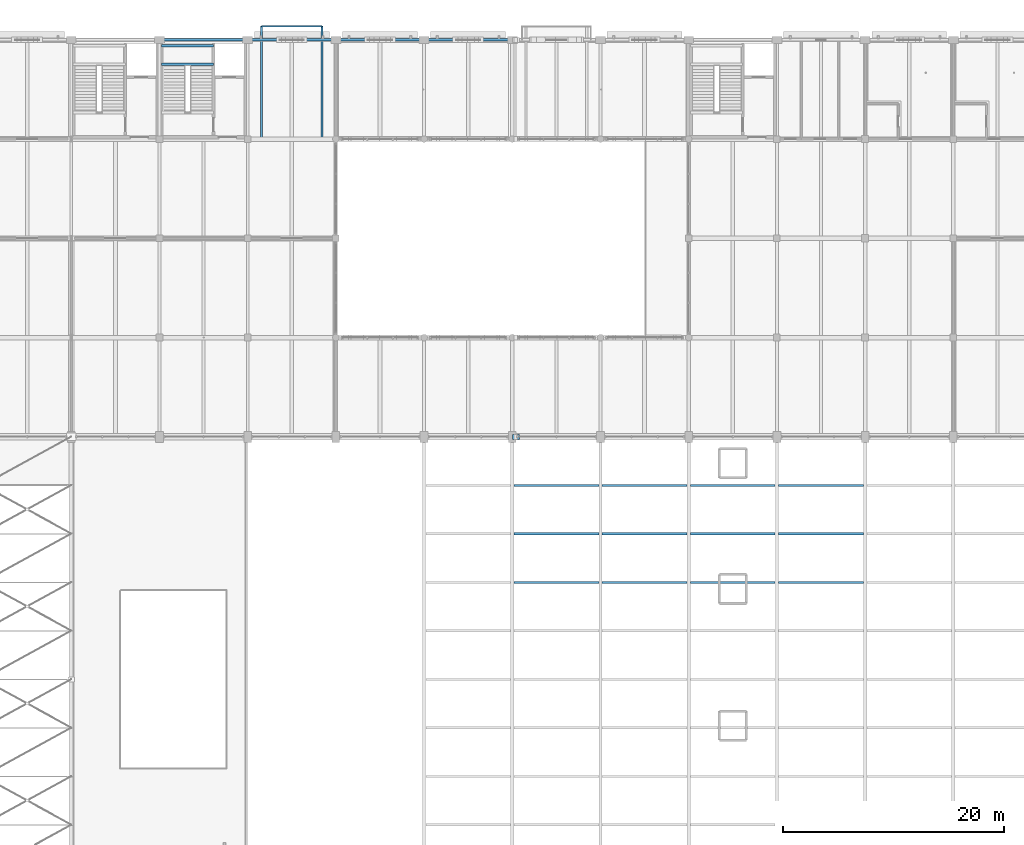
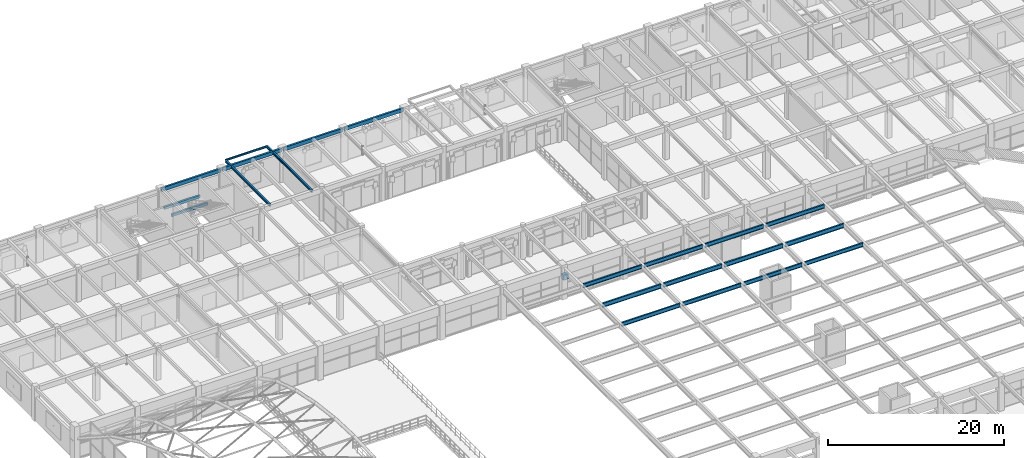
# One storey, part 52 of 144: 22 beams.
"""IFC4 building model written with IfcOpenShell, lengths in metres."""

from ifc_helpers import new_model, si_unit, direction, frame, origin, origin_2d, place, context, subcontext, project, spatial, rectangle, i_section, extrude, material, material_profile, profile_set, type_object, element, save


model = new_model("IFC4")

# Units and contexts
model_context = context("Model", 3, precision=1e-05, world=origin(), true_north=direction((0.0, 1.0)))
body_context = subcontext(model_context, "Body", "Model", "MODEL_VIEW")
ifc_project = project(units=[si_unit("LENGTHUNIT", "METRE"), si_unit("AREAUNIT", "SQUARE_METRE"), si_unit("VOLUMEUNIT", "CUBIC_METRE"), si_unit("PLANEANGLEUNIT", "RADIAN"), si_unit("MASSUNIT", "GRAM", prefix="KILO")], contexts=[model_context])

# Site, building, storey
site_placement = place(None, origin())
site = spatial("IfcSite", under=ifc_project, at=site_placement, CompositionType="ELEMENT")
building_placement = place(site_placement, origin())
building = spatial("IfcBuilding", under=site, at=building_placement, Name="Varnabhumi Central Station", CompositionType="ELEMENT")
storey_placement = place(building_placement, frame((0.0, 0.0, 4.800048828125)))
storey = spatial("IfcBuildingStorey", under=building, at=storey_placement, Name="L01", CompositionType="ELEMENT", Elevation=4.800048828125)

# Beams
ifc_material_1 = material(Name="Structural steel E350", Category="steel")
ifc_material_profile_1 = material_profile(ifc_material_1, i_section(OverallWidth=0.18994140625, OverallDepth=0.550048828125, WebThickness=0.01123046875, FlangeThickness=0.019287109375, FilletRadius=0.01806640625, at=origin_2d()), Name="Structural steel E350", Category="steel")
ifc_profile_set_1 = profile_set([ifc_material_profile_1], Name="Structural steel E350")
beam_type_1 = type_object("IfcBeamType", Name="BM-JST-ISMB550", PredefinedType="JOIST", material=ifc_profile_set_1)
for number, where, z_axis, x_axis, name in (
    (1, (64.155029296875, 66.800048828125, 4.204833984375), (1.0, 0.0, 0.0), (0.0, 1.0, 0.0), "Concourse Stringer 9-10-S7"),
    (2, (64.155029296875, 75.60009765625, 4.204833984375), (1.0, 0.0, 0.0), (0.0, 1.0, 0.0), "Concourse Stringer 9-10-S9"),
    (3, (72.155029296875, 66.800048828125, 4.204833984375), (1.0, 0.0, 0.0), (0.0, 1.0, 0.0), "Concourse Stringer 10-11-S7"),
    (4, (72.155029296875, 75.60009765625, 4.204833984375), (1.0, 0.0, 0.0), (0.0, 1.0, 0.0), "Concourse Stringer 10-11-S9"),
    (5, (80.155029296875, 66.800048828125, 4.204833984375), (1.0, 0.0, 0.0), (0.0, 1.0, 0.0), "Concourse Stringer 11-12-S7"),
    (6, (80.155029296875, 75.60009765625, 4.204833984375), (1.0, 0.0, 0.0), (0.0, 1.0, 0.0), "Concourse Stringer 11-12-S9"),
    (7, (88.155029296875, 66.800048828125, 4.204833984375), (1.0, 0.0, 0.0), (0.0, 1.0, 0.0), "Concourse Stringer 12-13-S7"),
    (8, (88.155029296875, 75.60009765625, 4.204833984375), (1.0, 0.0, 0.0), (0.0, 1.0, 0.0), "Concourse Stringer 12-13-S9"),
):
    element("IfcBeam", number, at=place(storey_placement, frame(where, z_axis=z_axis, x_axis=x_axis)), inside=storey, type_object=beam_type_1, Name=name, PredefinedType="JOIST", context=body_context, shape_type="SweptSolid", body=[
        extrude(i_section(OverallWidth=0.18994140625, OverallDepth=0.550048828125, WebThickness=0.01123046875, FlangeThickness=0.019287109375, FilletRadius=0.01806640625, at=origin_2d()), origin(), (0.0, 0.0, 1.0), 7.68994140625),
    ])
ifc_material_profile_2 = material_profile(ifc_material_1, i_section(OverallWidth=0.2099609375, OverallDepth=0.60009765625, WebThickness=0.011962890625, FlangeThickness=0.020751953125, FilletRadius=0.02001953125, at=origin_2d()), Name="Structural steel E350", Category="steel")
ifc_profile_set_2 = profile_set([ifc_material_profile_2], Name="Structural steel E350")
beam_type_2 = type_object("IfcBeamType", Name="BM-JST-ISMB600", PredefinedType="JOIST", material=ifc_profile_set_2)
for number, where, z_axis, x_axis, name in (
    (9, (64.155029296875, 71.199951171875, 4.179931640625), (1.0, 0.0, 0.0), (0.0, 1.0, 0.0), "Concourse Stringer 9-10-S8"),
    (10, (72.155029296875, 71.199951171875, 4.179931640625), (1.0, 0.0, 0.0), (0.0, 1.0, 0.0), "Concourse Stringer 10-11-S8"),
    (11, (80.155029296875, 71.199951171875, 4.179931640625), (1.0, 0.0, 0.0), (0.0, 1.0, 0.0), "Concourse Stringer 11-12-S8"),
    (12, (88.155029296875, 71.199951171875, 4.179931640625), (1.0, 0.0, 0.0), (0.0, 1.0, 0.0), "Concourse Stringer 12-13-S8"),
):
    element("IfcBeam", number, at=place(storey_placement, frame(where, z_axis=z_axis, x_axis=x_axis)), inside=storey, type_object=beam_type_2, Name=name, PredefinedType="JOIST", context=body_context, shape_type="SweptSolid", body=[
        extrude(i_section(OverallWidth=0.2099609375, OverallDepth=0.60009765625, WebThickness=0.011962890625, FlangeThickness=0.020751953125, FilletRadius=0.02001953125, at=origin_2d()), origin(), (0.0, 0.0, 1.0), 7.68994140625),
    ])
ifc_material_profile_3 = material_profile(ifc_material_1, i_section(OverallWidth=0.125, OverallDepth=0.25, WebThickness=0.0068359375, FlangeThickness=0.012451171875, FilletRadius=0.012939453125, at=origin_2d()), Name="Structural steel E350", Category="steel")
ifc_profile_set_3 = profile_set([ifc_material_profile_3], Name="Structural steel E350")
beam_type_3 = type_object("IfcBeamType", Name="BM-PUR-ISMB250", PredefinedType="JOIST", material=ifc_profile_set_3)
beam_1_placement = place(storey_placement, frame((41.25, 117.219970703125, 4.425048828125), z_axis=(1.0, 0.0, 0.0), x_axis=(0.0, 1.0, 0.0)))
element("IfcBeam", 13, at=beam_1_placement, inside=storey, type_object=beam_type_3, Name="Spanish Balcony Fascia Beam L02-9", PredefinedType="JOIST", context=body_context, shape_type="SweptSolid", body=[
    extrude(i_section(OverallWidth=0.125, OverallDepth=0.25, WebThickness=0.0068359375, FlangeThickness=0.012451171875, FilletRadius=0.012939453125, at=origin_2d()), origin(), (0.0, 0.0, 1.0), 5.5),
])
ifc_material_2 = material(Name="Concrete M35", Category="concrete")
ifc_material_profile_4 = material_profile(ifc_material_2, rectangle(XDim=0.25, YDim=0.35009765625, at=origin_2d()), Name="Concrete M35", Category="concrete")
ifc_profile_set_4 = profile_set([ifc_material_profile_4], Name="Concrete M35")
beam_type_4 = type_object("IfcBeamType", Name="BM-RC-250x350", PredefinedType="LINTEL", material=ifc_profile_set_4)
for number, where, z_axis, x_axis, name in (
    (14, (32.179931640625, 113.794921875, 2.044921875), (1.0, 0.0, 0.0), (0.0, 1.0, 0.0), "ST-N4 L01 Half Landing Support Beam 1"),
    (15, (32.179931640625, 115.4599609375, 2.044921875), (1.0, 0.0, 0.0), (0.0, 1.0, 0.0), "ST-N4 L01 Half Landing Support Beam 2"),
):
    element("IfcBeam", number, at=place(storey_placement, frame(where, z_axis=z_axis, x_axis=x_axis)), inside=storey, type_object=beam_type_4, Name=name, PredefinedType="LINTEL", context=body_context, shape_type="SweptSolid", body=[
        extrude(rectangle(XDim=0.25, YDim=0.35009765625, at=origin_2d()), origin(), (0.0, 0.0, 1.0), 4.719970703125),
    ])
ifc_material_3 = material(Name="Concrete M40", Category="concrete")
ifc_material_profile_5 = material_profile(ifc_material_3, rectangle(XDim=0.25, YDim=0.5, at=origin_2d()), Name="Concrete M40", Category="concrete")
ifc_profile_set_5 = profile_set([ifc_material_profile_5], Name="Concrete M40")
beam_type_5 = type_object("IfcBeamType", Name="BM-RC-250x500", PredefinedType="SPANDREL", material=ifc_profile_set_5)
for number, where, z_axis, x_axis, name in (
    (16, (32.10009765625, 116.0, 4.300048828125), (1.0, 0.0, 0.0), (0.0, 1.0, 0.0), "Beam L01-P:5-6"),
    (17, (40.10009765625, 116.0, 4.300048828125), (1.0, 0.0, 0.0), (0.0, 1.0, 0.0), "Beam L01-P:6-7"),
    (18, (48.10009765625, 116.0, 4.300048828125), (1.0, 0.0, 0.0), (0.0, 1.0, 0.0), "Beam L01-P:7-8"),
    (19, (56.10009765625, 116.0, 4.300048828125), (1.0, 0.0, 0.0), (0.0, 1.0, 0.0), "Beam L01-P:8-9"),
):
    element("IfcBeam", number, at=place(storey_placement, frame(where, z_axis=z_axis, x_axis=x_axis)), inside=storey, type_object=beam_type_5, Name=name, PredefinedType="SPANDREL", context=body_context, shape_type="SweptSolid", body=[
        extrude(rectangle(XDim=0.25, YDim=0.5, at=origin_2d()), origin(), (0.0, 0.0, 1.0), 7.7998046875),
    ])
ifc_material_profile_6 = material_profile(ifc_material_3, rectangle(XDim=0.449951171875, YDim=0.75, at=origin_2d()), Name="Concrete M40", Category="concrete")
ifc_profile_set_6 = profile_set([ifc_material_profile_6], Name="Concrete M40")
beam_type_6 = type_object("IfcBeamType", Name="BM-RC-450x750", PredefinedType="BEAM", material=ifc_profile_set_6)
beam_2_placement = place(storey_placement, frame((64.0, 80.0, 2.824951171875), z_axis=(1.0, 0.0, 0.0), x_axis=(0.0, 1.0, 0.0)))
element("IfcBeam", 20, at=beam_2_placement, inside=storey, type_object=beam_type_6, Name="Movement Joint 650mm Corbel Seat L01-K-9", PredefinedType="BEAM", context=body_context, shape_type="SweptSolid", body=[
    extrude(rectangle(XDim=0.449951171875, YDim=0.75, at=origin_2d()), origin(), (0.0, 0.0, 1.0), 0.64990234375),
])
ifc_material_profile_7 = material_profile(ifc_material_1, i_section(OverallWidth=0.199951171875, OverallDepth=0.35009765625, WebThickness=0.008056640625, FlangeThickness=0.011474609375, FilletRadius=0.011962890625, at=origin_2d()), Name="Structural steel E350", Category="steel")
ifc_profile_set_7 = profile_set([ifc_material_profile_7], Name="Structural steel E350")
beam_type_7 = type_object("IfcBeamType", Name="BM-STL-ISWB350", PredefinedType="JOIST", material=ifc_profile_set_7)
for number, where, z_axis, x_axis, name in (
    (21, (41.25, 107.0, 4.375), (0.0, 1.0, 0.0), (-1.0, 0.0, 0.0), "Spanish Balcony Cantilever Outrigger L02-9-1"),
    (22, (46.75, 107.0, 4.375), (0.0, 1.0, 0.0), (-1.0, 0.0, 0.0), "Spanish Balcony Cantilever Outrigger L02-9-2"),
):
    element("IfcBeam", number, at=place(storey_placement, frame(where, z_axis=z_axis, x_axis=x_axis)), inside=storey, type_object=beam_type_7, Name=name, PredefinedType="JOIST", context=body_context, shape_type="SweptSolid", body=[
        extrude(i_section(OverallWidth=0.199951171875, OverallDepth=0.35009765625, WebThickness=0.008056640625, FlangeThickness=0.011474609375, FilletRadius=0.011962890625, at=origin_2d()), origin(), (0.0, 0.0, 1.0), 10.25),
    ])

save(model, "model.ifc")
